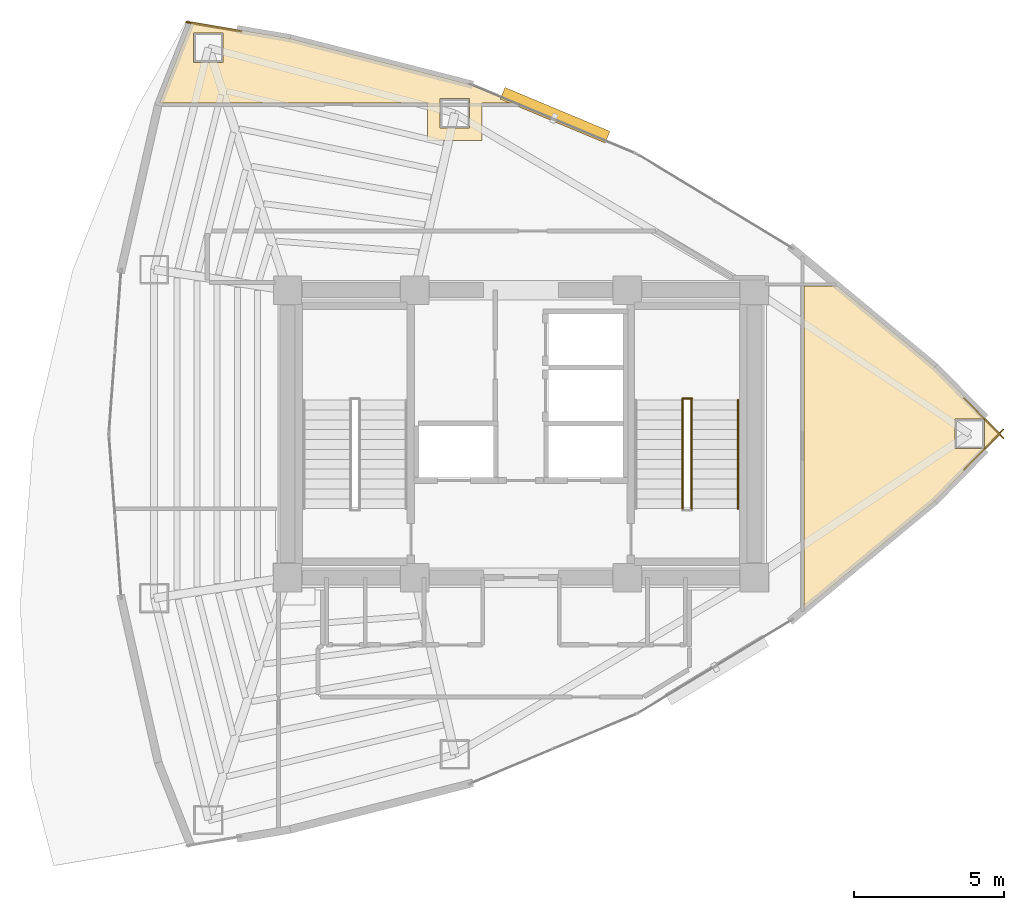
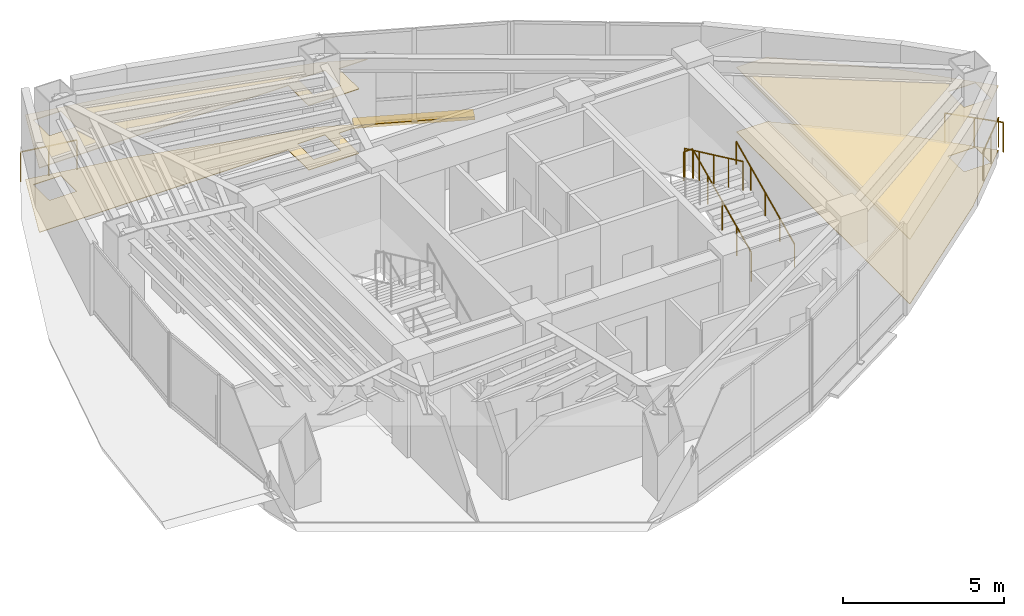
# One storey, part 15 of 15: 7 railings, 4 coverings, 1 shading device.
"""IFC4 building model written with IfcOpenShell, lengths in metres."""

from ifc_helpers import new_model, si_unit, direction, frame, origin, origin_2d, place, context, subcontext, project, spatial, polyline, rectangle, circle, outline, extrude, material, layer, layer_set, type_object, element, save


model = new_model("IFC4")

# Units and contexts
model_context = context("Model", 3, precision=1e-05, world=origin(), true_north=direction((0.0, 1.0)))
body_context = subcontext(model_context, "Body", "Model", "MODEL_VIEW")
ifc_project = project(units=[si_unit("LENGTHUNIT", "METRE"), si_unit("AREAUNIT", "SQUARE_METRE"), si_unit("VOLUMEUNIT", "CUBIC_METRE"), si_unit("PLANEANGLEUNIT", "RADIAN"), si_unit("MASSUNIT", "GRAM", prefix="KILO")], contexts=[model_context])

# Site, building, storey
site_placement = place(None, origin())
site = spatial("IfcSite", under=ifc_project, at=site_placement, CompositionType="ELEMENT")
building_placement = place(site_placement, origin())
building = spatial("IfcBuilding", under=site, at=building_placement, Name="Menara Vayukalpa", CompositionType="ELEMENT")
storey_placement = place(building_placement, frame((0.0, 0.0, 184.080078125)))
storey = spatial("IfcBuildingStorey", under=building, at=storey_placement, Name="L46", CompositionType="ELEMENT", Elevation=184.080078125)

# Coverings
ifc_material_1 = material(Name="Mineral Fibre Acoustic Ceiling Tile", Category="masonry")
ifc_layer_1 = layer(ifc_material_1, 0.02490234375)
ifc_layer_set_1 = layer_set([ifc_layer_1], Name="Mineral Fibre Acoustic Ceiling Tile")
covering_type_1 = type_object("IfcCoveringType", Name="COV-CLG1", PredefinedType="CEILING", material=ifc_layer_set_1)
covering_1_placement = place(storey_placement, frame((0.0, 0.0, 2.449951171875)))
element("IfcCovering", 1, at=covering_1_placement, inside=storey, type_object=covering_type_1, Name="L46 Staff Dining and Pantry Acoustic Ceiling", PredefinedType="CEILING", context=body_context, shape_type="SweptSolid", body=[
    extrude(outline(polyline([(41.61962890625, 22.007080078125), (41.620361328125, 22.00634765625), (41.620849609375, 22.005615234375), (41.621337890625, 22.004638671875), (41.621826171875, 22.00390625), (41.6220703125, 22.0029296875), (41.622314453125, 22.001953125), (41.62255859375, 22.0009765625), (41.62255859375, 22.0), (41.62255859375, 21.9990234375), (41.622314453125, 21.998046875), (41.6220703125, 21.9970703125), (41.621826171875, 21.99609375), (41.621337890625, 21.995361328125), (41.620849609375, 21.994384765625), (41.620361328125, 21.99365234375), (41.61962890625, 21.992919921875), (39.4326171875, 19.765625), (39.431884765625, 19.764892578125), (35.076416015625, 16.15283203125), (35.07568359375, 16.15234375), (35.07470703125, 16.15185546875), (35.073974609375, 16.1513671875), (35.072998046875, 16.15087890625), (35.072021484375, 16.15087890625), (35.071044921875, 16.150634765625), (35.070068359375, 16.150634765625), (35.069091796875, 16.150634765625), (35.068115234375, 16.15087890625), (35.067138671875, 16.15087890625), (35.066162109375, 16.1513671875), (35.065185546875, 16.15185546875), (35.064453125, 16.15234375), (35.063720703125, 16.15283203125), (35.06298828125, 16.153564453125), (35.062255859375, 16.154296875), (35.061767578125, 16.155029296875), (35.061279296875, 16.156005859375), (35.060791015625, 16.15673828125), (35.060302734375, 16.15771484375), (35.060302734375, 16.15869140625), (35.06005859375, 16.15966796875), (35.06005859375, 16.16064453125), (35.06005859375, 26.929931640625), (35.06005859375, 26.930908203125), (35.060302734375, 26.931884765625), (35.060302734375, 26.932861328125), (35.060791015625, 26.933837890625), (35.061279296875, 26.934814453125), (35.061767578125, 26.935546875), (35.062255859375, 26.936279296875), (35.06298828125, 26.93701171875), (35.063720703125, 26.937744140625), (35.064453125, 26.938232421875), (35.065185546875, 26.938720703125), (35.066162109375, 26.939208984375), (35.067138671875, 26.939697265625), (35.068115234375, 26.939697265625), (35.069091796875, 26.93994140625), (35.070068359375, 26.93994140625), (36.12890625, 26.93994140625), (36.135009765625, 26.940185546875), (36.140869140625, 26.941162109375), (36.146484375, 26.942626953125), (36.152099609375, 26.944580078125), (36.154052734375, 26.945556640625), (36.155029296875, 26.94580078125), (36.156005859375, 26.9462890625), (36.156982421875, 26.9462890625), (36.15771484375, 26.946533203125), (36.15869140625, 26.946533203125), (36.15966796875, 26.946533203125), (36.16064453125, 26.9462890625), (36.16162109375, 26.946044921875), (36.16259765625, 26.94580078125), (36.163330078125, 26.9453125), (36.164306640625, 26.94482421875), (36.1650390625, 26.9443359375), (39.431884765625, 24.235107421875), (39.4326171875, 24.234375), (41.61962890625, 22.007080078125)]), holes=[polyline([(41.08056640625, 22.489990234375), (40.1005859375, 22.489990234375), (40.1005859375, 21.510009765625), (41.08056640625, 21.510009765625), (41.08056640625, 22.489990234375)])]), origin(), (0.0, 0.0, 1.0), 0.02490234375),
])
covering_2_placement = place(storey_placement, frame((0.0, 0.0, 2.449951171875)))
element("IfcCovering", 2, at=covering_2_placement, inside=storey, type_object=covering_type_1, Name="L46 Operations Support Office Acoustic Ceiling", PredefinedType="CEILING", context=body_context, shape_type="SweptSolid", body=[
    extrude(outline(polyline([(13.53662109375, 33.06005859375), (13.535400390625, 33.06005859375), (13.53466796875, 33.060302734375), (13.53369140625, 33.060302734375), (13.53271484375, 33.060791015625), (13.53173828125, 33.061279296875), (13.531005859375, 33.061767578125), (13.5302734375, 33.062255859375), (13.529541015625, 33.06298828125), (13.52880859375, 33.063720703125), (13.5283203125, 33.064453125), (13.527587890625, 33.065185546875), (13.52734375, 33.066162109375), (13.527099609375, 33.06689453125), (13.526611328125, 33.06787109375), (13.526611328125, 33.06884765625), (13.526611328125, 33.06982421875), (13.526611328125, 33.07080078125), (13.526611328125, 33.07177734375), (13.52685546875, 33.07275390625), (13.527099609375, 33.07373046875), (14.583251953125, 35.762451171875), (14.58349609375, 35.76318359375), (14.583984375, 35.76416015625), (14.584716796875, 35.764892578125), (14.585205078125, 35.765625), (14.5859375, 35.766357421875), (14.5869140625, 35.766845703125), (14.587646484375, 35.767333984375), (14.58837890625, 35.767822265625), (14.58935546875, 35.768310546875), (14.59033203125, 35.7685546875), (14.59130859375, 35.7685546875), (14.59228515625, 35.768798828125), (14.59326171875, 35.768798828125), (14.59423828125, 35.7685546875), (17.879150390625, 35.2109375), (17.8798828125, 35.210693359375), (23.884765625, 33.67919921875), (23.885986328125, 33.6787109375), (25.319580078125, 33.0791015625), (25.3203125, 33.078857421875), (25.3212890625, 33.078369140625), (25.322021484375, 33.07763671875), (25.32275390625, 33.076904296875), (25.3232421875, 33.076416015625), (25.323974609375, 33.075439453125), (25.324462890625, 33.07470703125), (25.32470703125, 33.07373046875), (25.3251953125, 33.072998046875), (25.325439453125, 33.072021484375), (25.32568359375, 33.071044921875), (25.32568359375, 33.070068359375), (25.325439453125, 33.069091796875), (25.325439453125, 33.068115234375), (25.3251953125, 33.067138671875), (25.32470703125, 33.066162109375), (25.324462890625, 33.065185546875), (25.323974609375, 33.064453125), (25.3232421875, 33.063720703125), (25.32275390625, 33.06298828125), (25.322021484375, 33.062255859375), (25.321044921875, 33.061767578125), (25.3203125, 33.061279296875), (25.3193359375, 33.060791015625), (25.318603515625, 33.060302734375), (25.3173828125, 33.060302734375), (25.316650390625, 33.06005859375), (25.315673828125, 33.06005859375), (24.29931640625, 33.06005859375), (24.29931640625, 31.79833984375), (22.4794921875, 31.79833984375), (22.4794921875, 33.06005859375), (13.53662109375, 33.06005859375)]), holes=[polyline([(15.644775390625, 35.392578125), (14.664794921875, 35.392578125), (14.664794921875, 34.41259765625), (15.644775390625, 34.41259765625), (15.644775390625, 35.392578125)]), polyline([(23.87939453125, 33.198486328125), (22.8994140625, 33.198486328125), (22.8994140625, 32.218505859375), (23.87939453125, 32.218505859375), (23.87939453125, 33.198486328125)])]), origin(), (0.0, 0.0, 1.0), 0.02490234375),
])
ifc_material_2 = material(Name="Porcelain Stoneware Floor Tile", Category="masonry")
ifc_layer_2 = layer(ifc_material_2, 0.02001953125)
ifc_layer_set_2 = layer_set([ifc_layer_2], Name="Porcelain Stoneware Floor Tile")
covering_type_2 = type_object("IfcCoveringType", Name="COV-FLR1", PredefinedType="FLOORING", material=ifc_layer_set_2)
covering_3_placement = place(storey_placement, origin())
element("IfcCovering", 3, at=covering_3_placement, inside=storey, type_object=covering_type_2, Name="L46 Staff Dining and Pantry Porcelain Flooring", PredefinedType="FLOORING", context=body_context, shape_type="SweptSolid", body=[
    extrude(outline(polyline([(41.61962890625, 22.007080078125), (41.620361328125, 22.00634765625), (41.620849609375, 22.005615234375), (41.621337890625, 22.004638671875), (41.621826171875, 22.00390625), (41.6220703125, 22.0029296875), (41.622314453125, 22.001953125), (41.62255859375, 22.0009765625), (41.62255859375, 22.0), (41.62255859375, 21.9990234375), (41.622314453125, 21.998046875), (41.6220703125, 21.9970703125), (41.621826171875, 21.99609375), (41.621337890625, 21.995361328125), (41.620849609375, 21.994384765625), (41.620361328125, 21.99365234375), (41.61962890625, 21.992919921875), (39.4326171875, 19.765625), (39.431884765625, 19.764892578125), (35.076416015625, 16.15283203125), (35.07568359375, 16.15234375), (35.07470703125, 16.15185546875), (35.073974609375, 16.1513671875), (35.072998046875, 16.15087890625), (35.072021484375, 16.15087890625), (35.071044921875, 16.150634765625), (35.070068359375, 16.150634765625), (35.069091796875, 16.150634765625), (35.068115234375, 16.15087890625), (35.067138671875, 16.15087890625), (35.066162109375, 16.1513671875), (35.065185546875, 16.15185546875), (35.064453125, 16.15234375), (35.063720703125, 16.15283203125), (35.06298828125, 16.153564453125), (35.062255859375, 16.154296875), (35.061767578125, 16.155029296875), (35.061279296875, 16.156005859375), (35.060791015625, 16.15673828125), (35.060302734375, 16.15771484375), (35.060302734375, 16.15869140625), (35.06005859375, 16.15966796875), (35.06005859375, 16.16064453125), (35.06005859375, 26.929931640625), (35.06005859375, 26.930908203125), (35.060302734375, 26.931884765625), (35.060302734375, 26.932861328125), (35.060791015625, 26.933837890625), (35.061279296875, 26.934814453125), (35.061767578125, 26.935546875), (35.062255859375, 26.936279296875), (35.06298828125, 26.93701171875), (35.063720703125, 26.937744140625), (35.064453125, 26.938232421875), (35.065185546875, 26.938720703125), (35.066162109375, 26.939208984375), (35.067138671875, 26.939697265625), (35.068115234375, 26.939697265625), (35.069091796875, 26.93994140625), (35.070068359375, 26.93994140625), (36.12890625, 26.93994140625), (36.135009765625, 26.940185546875), (36.140869140625, 26.941162109375), (36.146484375, 26.942626953125), (36.152099609375, 26.944580078125), (36.154052734375, 26.945556640625), (36.155029296875, 26.94580078125), (36.156005859375, 26.9462890625), (36.156982421875, 26.9462890625), (36.15771484375, 26.946533203125), (36.15869140625, 26.946533203125), (36.15966796875, 26.946533203125), (36.16064453125, 26.9462890625), (36.16162109375, 26.946044921875), (36.16259765625, 26.94580078125), (36.163330078125, 26.9453125), (36.164306640625, 26.94482421875), (36.1650390625, 26.9443359375), (39.431884765625, 24.235107421875), (39.4326171875, 24.234375), (41.61962890625, 22.007080078125)]), holes=[polyline([(41.08056640625, 22.489990234375), (40.1005859375, 22.489990234375), (40.1005859375, 21.510009765625), (41.08056640625, 21.510009765625), (41.08056640625, 22.489990234375)])]), origin(), (0.0, 0.0, 1.0), 0.02001953125),
])
covering_4_placement = place(storey_placement, origin())
element("IfcCovering", 4, at=covering_4_placement, inside=storey, type_object=covering_type_2, Name="L46 Operations Support Office Porcelain Flooring", PredefinedType="FLOORING", context=body_context, shape_type="SweptSolid", body=[
    extrude(outline(polyline([(13.53662109375, 33.06005859375), (13.535400390625, 33.06005859375), (13.53466796875, 33.060302734375), (13.53369140625, 33.060302734375), (13.53271484375, 33.060791015625), (13.53173828125, 33.061279296875), (13.531005859375, 33.061767578125), (13.5302734375, 33.062255859375), (13.529541015625, 33.06298828125), (13.52880859375, 33.063720703125), (13.5283203125, 33.064453125), (13.527587890625, 33.065185546875), (13.52734375, 33.066162109375), (13.527099609375, 33.06689453125), (13.526611328125, 33.06787109375), (13.526611328125, 33.06884765625), (13.526611328125, 33.06982421875), (13.526611328125, 33.07080078125), (13.526611328125, 33.07177734375), (13.52685546875, 33.07275390625), (13.527099609375, 33.07373046875), (14.583251953125, 35.762451171875), (14.58349609375, 35.76318359375), (14.583984375, 35.76416015625), (14.584716796875, 35.764892578125), (14.585205078125, 35.765625), (14.5859375, 35.766357421875), (14.5869140625, 35.766845703125), (14.587646484375, 35.767333984375), (14.58837890625, 35.767822265625), (14.58935546875, 35.768310546875), (14.59033203125, 35.7685546875), (14.59130859375, 35.7685546875), (14.59228515625, 35.768798828125), (14.59326171875, 35.768798828125), (14.59423828125, 35.7685546875), (17.879150390625, 35.2109375), (17.8798828125, 35.210693359375), (23.884765625, 33.67919921875), (23.885986328125, 33.6787109375), (25.319580078125, 33.0791015625), (25.3203125, 33.078857421875), (25.3212890625, 33.078369140625), (25.322021484375, 33.07763671875), (25.32275390625, 33.076904296875), (25.3232421875, 33.076416015625), (25.323974609375, 33.075439453125), (25.324462890625, 33.07470703125), (25.32470703125, 33.07373046875), (25.3251953125, 33.072998046875), (25.325439453125, 33.072021484375), (25.32568359375, 33.071044921875), (25.32568359375, 33.070068359375), (25.325439453125, 33.069091796875), (25.325439453125, 33.068115234375), (25.3251953125, 33.067138671875), (25.32470703125, 33.066162109375), (25.324462890625, 33.065185546875), (25.323974609375, 33.064453125), (25.3232421875, 33.063720703125), (25.32275390625, 33.06298828125), (25.322021484375, 33.062255859375), (25.321044921875, 33.061767578125), (25.3203125, 33.061279296875), (25.3193359375, 33.060791015625), (25.318603515625, 33.060302734375), (25.3173828125, 33.060302734375), (25.316650390625, 33.06005859375), (25.315673828125, 33.06005859375), (24.29931640625, 33.06005859375), (24.29931640625, 31.79833984375), (22.4794921875, 31.79833984375), (22.4794921875, 33.06005859375), (13.53662109375, 33.06005859375)]), holes=[polyline([(15.644775390625, 35.392578125), (14.664794921875, 35.392578125), (14.664794921875, 34.41259765625), (15.644775390625, 34.41259765625), (15.644775390625, 35.392578125)]), polyline([(23.87939453125, 33.198486328125), (22.8994140625, 33.198486328125), (22.8994140625, 32.218505859375), (23.87939453125, 32.218505859375), (23.87939453125, 33.198486328125)])]), origin(), (0.0, 0.0, 1.0), 0.02001953125),
])

# Railings
ifc_material_3 = material(Name="Laminated Glass and Stainless Steel 316 Guardrail", Category="steel")
railing_type_1 = type_object("IfcRailingType", Name="RLG-EXT115", PredefinedType="GUARDRAIL", material=ifc_material_3)
railing_1_placement = place(storey_placement, frame((40.392333984375, 20.800048828125, 0.0)))
element("IfcRailing", 5, at=railing_1_placement, inside=storey, type_object=railing_type_1, Name="L46 Column Corner Spandrel Guardrail 01-1", PredefinedType="GUARDRAIL", context=body_context, shape_type="SweptSolid", body=[
    extrude(circle(Radius=0.02392578125, at=origin_2d()), frame((0.0, 0.0, 1.1259765625), z_axis=(0.700555409966, 0.713598008382, 0.0), x_axis=(-0.713598008382, 0.700555409966, 0.0)), (0.0, 0.0, 1.0), 1.890625),
    extrude(circle(Radius=0.02099609375, at=origin_2d()), origin(), (0.0, 0.0, 1.0), 1.101806640625),
    extrude(circle(Radius=0.02099609375, at=origin_2d()), frame((0.662109375, 0.674560546875, 0.0)), (0.0, 0.0, 1.0), 1.101806640625),
    extrude(circle(Radius=0.02099609375, at=origin_2d()), frame((1.324462890625, 1.34912109375, 0.0)), (0.0, 0.0, 1.0), 1.101806640625),
])
railing_2_placement = place(storey_placement, frame((41.716796875, 21.850830078125, 0.0)))
element("IfcRailing", 6, at=railing_2_placement, inside=storey, type_object=railing_type_1, Name="L46 Column Corner Spandrel Guardrail 02-1", PredefinedType="GUARDRAIL", context=body_context, shape_type="SweptSolid", body=[
    extrude(circle(Radius=0.02392578125, at=origin_2d()), frame((0.0, 0.0, 1.1259765625), z_axis=(-0.700555409966, 0.713598008382, 0.0), x_axis=(-0.713598008382, -0.700555409966, 0.0)), (0.0, 0.0, 1.0), 1.890625),
    extrude(circle(Radius=0.02099609375, at=origin_2d()), origin(), (0.0, 0.0, 1.0), 1.101806640625),
    extrude(circle(Radius=0.02099609375, at=origin_2d()), frame((-0.662109375, 0.674560546875, 0.0)), (0.0, 0.0, 1.0), 1.101806640625),
    extrude(circle(Radius=0.02099609375, at=origin_2d()), frame((-1.324462890625, 1.34912109375, 0.0)), (0.0, 0.0, 1.0), 1.101806640625),
])
railing_3_placement = place(storey_placement, frame((16.256103515625, 35.44580078125, 0.0)))
element("IfcRailing", 7, at=railing_3_placement, inside=storey, type_object=railing_type_1, Name="L46 Column Corner Spandrel Guardrail 07-1", PredefinedType="GUARDRAIL", context=body_context, shape_type="SweptSolid", body=[
    extrude(circle(Radius=0.02392578125, at=origin_2d()), frame((0.0, 0.0, 1.1259765625), z_axis=(-0.985895107684, 0.167364382844, 0.0), x_axis=(-0.167364382844, -0.985895107684, 0.0)), (0.0, 0.0, 1.0), 1.86865234375),
    extrude(circle(Radius=0.02099609375, at=origin_2d()), origin(), (0.0, 0.0, 1.0), 1.101806640625),
    extrude(circle(Radius=0.02099609375, at=origin_2d()), frame((-0.921142578125, 0.15625, 0.0)), (0.0, 0.0, 1.0), 1.101806640625),
    extrude(circle(Radius=0.02099609375, at=origin_2d()), frame((-1.84228515625, 0.312744140625, 0.0)), (0.0, 0.0, 1.0), 1.101806640625),
])
ifc_material_4 = material(Name="Powder-Coated Galvanised Steel Guardrail", Category="steel")
railing_type_2 = type_object("IfcRailingType", Name="RLG-STG110", PredefinedType="GUARDRAIL", material=ifc_material_4)
railing_4_placement = place(storey_placement, frame((31.300048828125, 19.5, 0.155029296875)))
element("IfcRailing", 8, at=railing_4_placement, inside=storey, type_object=railing_type_2, Name="L46 ST-2 stair guard 1", PredefinedType="GUARDRAIL", context=body_context, shape_type="SweptSolid", body=[
    extrude(circle(Radius=0.02392578125, at=origin_2d()), frame((0.0, 0.0, 1.09619140625), z_axis=(0.0, 0.90513990983, 0.425113800803), x_axis=(-1.0, 0.0, 0.0)), (0.0, 0.0, 1.0), 4.01025390625),
    extrude(circle(Radius=0.02099609375, at=origin_2d()), origin(), (0.0, 0.0, 1.0), 1.072021484375),
    extrude(circle(Radius=0.02099609375, at=origin_2d()), frame((0.0, 0.907470703125, 0.42626953125)), (0.0, 0.0, 1.0), 1.072021484375),
    extrude(circle(Radius=0.02099609375, at=origin_2d()), frame((0.0, 1.81494140625, 0.8525390625)), (0.0, 0.0, 1.0), 1.072021484375),
    extrude(circle(Radius=0.02099609375, at=origin_2d()), frame((0.0, 2.722412109375, 1.278564453125)), (0.0, 0.0, 1.0), 1.072021484375),
    extrude(circle(Radius=0.02099609375, at=origin_2d()), frame((0.0, 3.6298828125, 1.704833984375)), (0.0, 0.0, 1.0), 1.072021484375),
])
railing_5_placement = place(storey_placement, frame((31.31005859375, 23.179931640625, 1.85986328125)))
element("IfcRailing", 9, at=railing_5_placement, inside=storey, type_object=railing_type_2, Name="L46 ST-2 stair guard 2", PredefinedType="GUARDRAIL", context=body_context, shape_type="SweptSolid", body=[
    extrude(circle(Radius=0.02392578125, at=origin_2d()), frame((0.0, 0.0, 1.09619140625), z_axis=(-1.0, 0.0, 0.0), x_axis=(0.0, -1.0, 0.0)), (0.0, 0.0, 1.0), 0.320068359375),
    extrude(circle(Radius=0.02099609375, at=origin_2d()), origin(), (0.0, 0.0, 1.0), 1.072021484375),
    extrude(circle(Radius=0.02099609375, at=origin_2d()), frame((-0.320068359375, 0.0, 0.0)), (0.0, 0.0, 1.0), 1.072021484375),
])
railing_6_placement = place(storey_placement, frame((31.0, 23.1298828125, 2.014892578125)))
element("IfcRailing", 10, at=railing_6_placement, inside=storey, type_object=railing_type_2, Name="L46 ST-2 stair guard 3", PredefinedType="GUARDRAIL", context=body_context, shape_type="SweptSolid", body=[
    extrude(circle(Radius=0.02392578125, at=origin_2d()), frame((0.0, 0.0, 1.09619140625), z_axis=(0.0, -0.90511648382, 0.425163675209), x_axis=(1.0, 0.0, 0.0)), (0.0, 0.0, 1.0), 4.010498046875),
    extrude(circle(Radius=0.02099609375, at=origin_2d()), origin(), (0.0, 0.0, 1.0), 1.072021484375),
    extrude(circle(Radius=0.02099609375, at=origin_2d()), frame((0.0, -0.907470703125, 0.42626953125)), (0.0, 0.0, 1.0), 1.072021484375),
    extrude(circle(Radius=0.02099609375, at=origin_2d()), frame((0.0, -1.81494140625, 0.8525390625)), (0.0, 0.0, 1.0), 1.072021484375),
    extrude(circle(Radius=0.02099609375, at=origin_2d()), frame((0.0, -2.722412109375, 1.27880859375)), (0.0, 0.0, 1.0), 1.072021484375),
    extrude(circle(Radius=0.02099609375, at=origin_2d()), frame((0.0, -3.6298828125, 1.705078125)), (0.0, 0.0, 1.0), 1.072021484375),
])
ifc_material_5 = material(Name="Stainless Steel 316 Tubular Handrail", Category="steel")
railing_type_3 = type_object("IfcRailingType", Name="RLG-STH090", PredefinedType="HANDRAIL", material=ifc_material_5)
railing_7_placement = place(storey_placement, frame((32.85009765625, 19.5, 0.155029296875)))
element("IfcRailing", 11, at=railing_7_placement, inside=storey, type_object=railing_type_3, Name="L46 ST-2 stair handrail 1", PredefinedType="HANDRAIL", context=body_context, shape_type="SweptSolid", body=[
    extrude(circle(Radius=0.02392578125, at=origin_2d()), frame((0.0, 0.0, 0.8759765625), z_axis=(0.0, 0.90513990983, 0.425113800803), x_axis=(-1.0, 0.0, 0.0)), (0.0, 0.0, 1.0), 4.01025390625),
    extrude(circle(Radius=0.02099609375, at=origin_2d()), origin(), (0.0, 0.0, 1.0), 0.851806640625),
    extrude(circle(Radius=0.02099609375, at=origin_2d()), frame((0.0, 0.907470703125, 0.42626953125)), (0.0, 0.0, 1.0), 0.851806640625),
    extrude(circle(Radius=0.02099609375, at=origin_2d()), frame((0.0, 1.81494140625, 0.8525390625)), (0.0, 0.0, 1.0), 0.851806640625),
    extrude(circle(Radius=0.02099609375, at=origin_2d()), frame((0.0, 2.722412109375, 1.278564453125)), (0.0, 0.0, 1.0), 0.851806640625),
    extrude(circle(Radius=0.02099609375, at=origin_2d()), frame((0.0, 3.6298828125, 1.704833984375)), (0.0, 0.0, 1.0), 0.851806640625),
])

# Shading device
ifc_material_6 = material(Name="Glazed Terracotta Ceramic Baguette Extrusion", Category="masonry")
ifc_layer_3 = layer(ifc_material_6, 0.1201171875)
ifc_layer_set_3 = layer_set([ifc_layer_3], Name="Glazed Terracotta Ceramic Baguette Extrusion")
shading_device_type = type_object("IfcShadingDeviceType", Name="SHD-SS1", PredefinedType="USERDEFINED", material=ifc_layer_set_3)
shading_device_placement = place(storey_placement, frame((26.740234375, 32.6474609375, -0.10009765625), z_axis=(0.0, 0.0, 1.0), x_axis=(-0.922538089456, 0.385906042324, 0.0)))
element("IfcShadingDevice", 12, at=shading_device_placement, inside=storey, type_object=shading_device_type, Name="L46 Horizontal Terracotta Sunshade Band 05", ObjectType="SUNSHADE", PredefinedType="USERDEFINED", context=body_context, shape_type="SweptSolid", body=[
    extrude(rectangle(XDim=3.800048828125, YDim=0.419921875, at=origin_2d()), origin(), (0.0, 0.0, 1.0), 0.1201171875),
])

save(model, "model.ifc")
